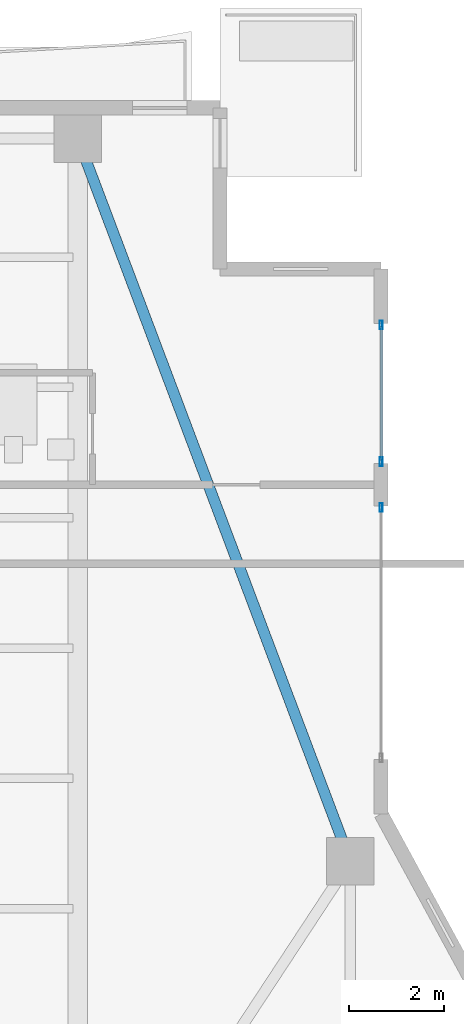
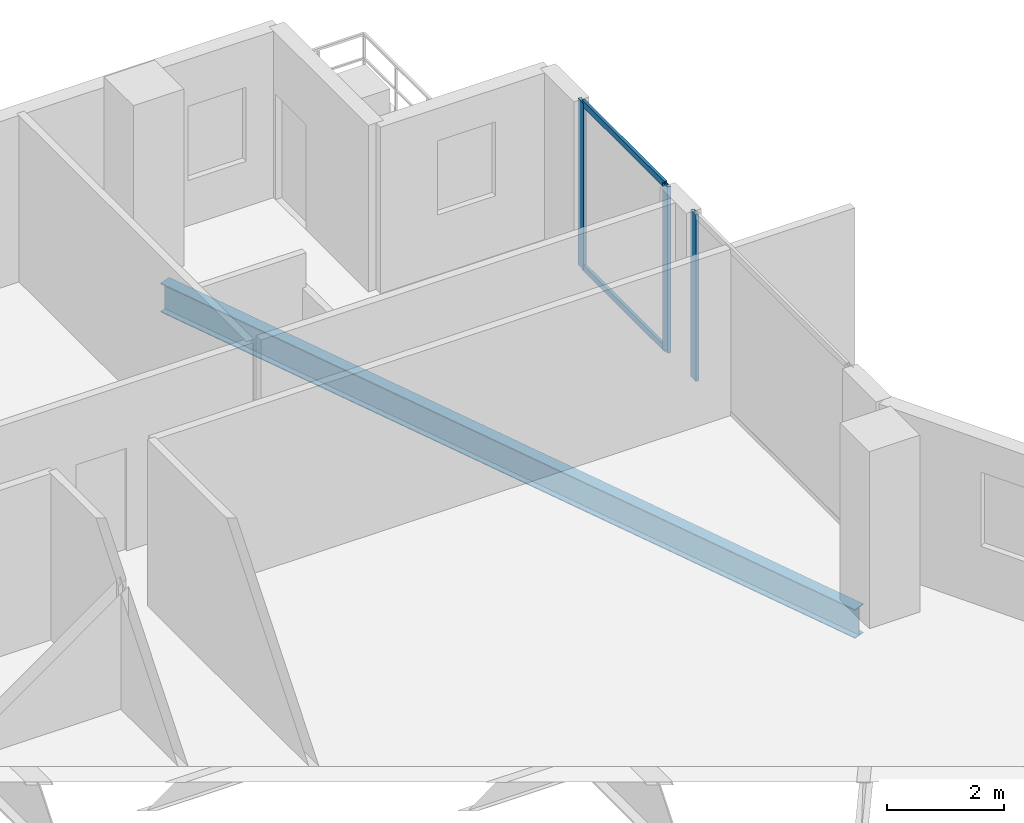
# One storey, part 15 of 24: 5 members, 1 beam, 2 elements without a shape of their own.
"""IFC4 building model written with IfcOpenShell, lengths in metres."""

from ifc_helpers import new_model, si_unit, direction, frame, origin, origin_2d, place, context, subcontext, project, spatial, hollow_rectangle, i_section, extrude, material, layer, layer_set, material_profile, profile_set, type_object, element, aggregate, save


model = new_model("IFC4")

# Units and contexts
model_context = context("Model", 3, precision=1e-05, world=origin(), true_north=direction((0.0, 1.0)))
body_context = subcontext(model_context, "Body", "Model", "MODEL_VIEW")
ifc_project = project(units=[si_unit("LENGTHUNIT", "METRE"), si_unit("AREAUNIT", "SQUARE_METRE"), si_unit("VOLUMEUNIT", "CUBIC_METRE"), si_unit("PLANEANGLEUNIT", "RADIAN"), si_unit("MASSUNIT", "GRAM", prefix="KILO")], contexts=[model_context])

# Site, building, storey
site_placement = place(None, origin())
site = spatial("IfcSite", under=ifc_project, at=site_placement, CompositionType="ELEMENT")
building_placement = place(site_placement, origin())
building = spatial("IfcBuilding", under=site, at=building_placement, Name="Zuhayl Quay Hotel", CompositionType="ELEMENT")
storey_placement = place(building_placement, frame((0.0, 0.0, 269.25)))
storey = spatial("IfcBuildingStorey", under=building, at=storey_placement, Name="L68", CompositionType="ELEMENT", Elevation=269.25)

# Beam
ifc_material_1 = material(Name="Steel ASTM A992 Grade 50", Category="steel")
ifc_material_profile_1 = material_profile(ifc_material_1, i_section(OverallWidth=0.22802734375, OverallDepth=0.60693359375, WebThickness=0.01123046875, FlangeThickness=0.017333984375, at=origin_2d()), Name="W24X76")
ifc_profile_set_1 = profile_set([ifc_material_profile_1], Name="Steel ASTM A992 Grade 50")
beam_type = type_object("IfcBeamType", Name="BM_B3_W24X76", PredefinedType="BEAM", material=ifc_profile_set_1)
beam_placement = place(storey_placement, frame((19.3876953125, 23.530517578125, -0.5234375), z_axis=(-0.352796603103, 0.935700035716, 0.0), x_axis=(-0.935700035716, -0.352796603103, 0.0)))
element("IfcBeam", 1, at=beam_placement, inside=storey, type_object=beam_type, Name="L68 Floor Beam RG_L68_06", PredefinedType="BEAM", context=body_context, shape_type="SweptSolid", body=[
    extrude(i_section(OverallWidth=0.22802734375, OverallDepth=0.60693359375, WebThickness=0.01123046875, FlangeThickness=0.017333984375, at=origin_2d()), origin(), (0.0, 0.0, 1.0), 15.3779296875),
])

# Curtain wall, members
ifc_material_2 = material(Name="Anodised Aluminium 6063-T6", Category="aluminium")
ifc_layer = layer(ifc_material_2, 0.169921875, Name="Anodised Aluminium 6063-T6", Category="aluminium")
ifc_layer_set = layer_set([ifc_layer], Name="Anodised Aluminium 6063-T6")
curtain_wall_type = type_object("IfcCurtainWallType", Name="CW_SYS_Z4", PredefinedType="USERDEFINED", material=ifc_layer_set)
curtain_wall_1_placement = place(storey_placement, origin())
curtain_wall_1 = element("IfcCurtainWall", 2, at=curtain_wall_1_placement, inside=storey, type_object=curtain_wall_type, Name="L68 Curtain Wall ENV_L68_E11_CW1", ObjectType="UNITISED CURTAIN WALL", PredefinedType="USERDEFINED")
ifc_material_3 = material(Name="Black-anodised aluminium 6063-T6", Category="aluminium")
ifc_material_profile_2 = material_profile(ifc_material_3, hollow_rectangle(XDim=0.06494140625, YDim=0.179931640625, WallThickness=0.00341796875, at=origin_2d()), Name="ALU180X65")
ifc_profile_set_2 = profile_set([ifc_material_profile_2], Name="Black-anodised aluminium 6063-T6")
member_type_1 = type_object("IfcMemberType", Name="MB_CW_MUL_180", PredefinedType="MULLION", material=ifc_profile_set_2)
member_1_placement = place(storey_placement, frame((20.199951171875, 34.41748046875, 0.0), z_axis=(0.0, 0.0, 1.0), x_axis=(1.0, 0.0, 0.0)))
member_1 = element("IfcMember", 3, at=member_1_placement, type_object=member_type_1, Name="CW-Z4 mullion 1", PredefinedType="MULLION", context=body_context, shape_type="SweptSolid", body=[
    extrude(hollow_rectangle(XDim=0.06494140625, YDim=0.179931640625, WallThickness=0.00341796875, at=origin_2d()), origin(), (0.0, 0.0, 1.0), 3.47998046875),
])
member_2_placement = place(storey_placement, frame((20.199951171875, 31.532470703125, 0.0), z_axis=(0.0, 0.0, 1.0), x_axis=(1.0, 0.0, 0.0)))
member_2 = element("IfcMember", 4, at=member_2_placement, type_object=member_type_1, Name="CW-Z4 mullion 2", PredefinedType="MULLION", context=body_context, shape_type="SweptSolid", body=[
    extrude(hollow_rectangle(XDim=0.06494140625, YDim=0.179931640625, WallThickness=0.00341796875, at=origin_2d()), origin(), (0.0, 0.0, 1.0), 3.47998046875),
])

# Curtain wall, member
curtain_wall_2_placement = place(storey_placement, origin())
curtain_wall_2 = element("IfcCurtainWall", 5, at=curtain_wall_2_placement, inside=storey, type_object=curtain_wall_type, Name="L68 Curtain Wall ENV_L68_E11_CW2", ObjectType="UNITISED CURTAIN WALL", PredefinedType="USERDEFINED")
member_3_placement = place(storey_placement, frame((20.199951171875, 30.5673828125, 0.0), z_axis=(0.0, 0.0, 1.0), x_axis=(1.0, 0.0, 0.0)))
member_3 = element("IfcMember", 6, at=member_3_placement, type_object=member_type_1, Name="CW-Z4 mullion 1", PredefinedType="MULLION", context=body_context, shape_type="SweptSolid", body=[
    extrude(hollow_rectangle(XDim=0.06494140625, YDim=0.179931640625, WallThickness=0.00341796875, at=origin_2d()), origin(), (0.0, 0.0, 1.0), 3.47998046875),
])
aggregate(curtain_wall_2, [member_3])

# Member
ifc_material_profile_3 = material_profile(ifc_material_3, hollow_rectangle(XDim=0.054931640625, YDim=0.1298828125, WallThickness=0.0029296875, at=origin_2d()), Name="ALU130X55")
ifc_profile_set_3 = profile_set([ifc_material_profile_3], Name="Black-anodised aluminium 6063-T6")
member_type_2 = type_object("IfcMemberType", Name="MB_CW_TRN_130", PredefinedType="USERDEFINED", material=ifc_profile_set_3)
member_4_placement = place(storey_placement, frame((20.199951171875, 34.385009765625, 0.027587890625), z_axis=(0.0, -1.0, 0.0), x_axis=(1.0, 0.0, 0.0)))
member_4 = element("IfcMember", 7, at=member_4_placement, type_object=member_type_2, Name="CW-Z4 transom 1.1", ObjectType="TRANSOM", PredefinedType="USERDEFINED", context=body_context, shape_type="SweptSolid", body=[
    extrude(hollow_rectangle(XDim=0.054931640625, YDim=0.1298828125, WallThickness=0.0029296875, at=origin_2d()), origin(), (0.0, 0.0, 1.0), 2.820068359375),
])

member_5_placement = place(storey_placement, frame((20.199951171875, 34.385009765625, 3.452392578125), z_axis=(0.0, -1.0, 0.0), x_axis=(1.0, 0.0, 0.0)))
member_5 = element("IfcMember", 8, at=member_5_placement, type_object=member_type_2, Name="CW-Z4 transom 1.2", ObjectType="TRANSOM", PredefinedType="USERDEFINED", context=body_context, shape_type="SweptSolid", body=[
    extrude(hollow_rectangle(XDim=0.054931640625, YDim=0.1298828125, WallThickness=0.0029296875, at=origin_2d()), origin(), (0.0, 0.0, 1.0), 2.820068359375),
])

aggregate(curtain_wall_1, [member_1, member_2, member_4, member_5])

save(model, "model.ifc")
